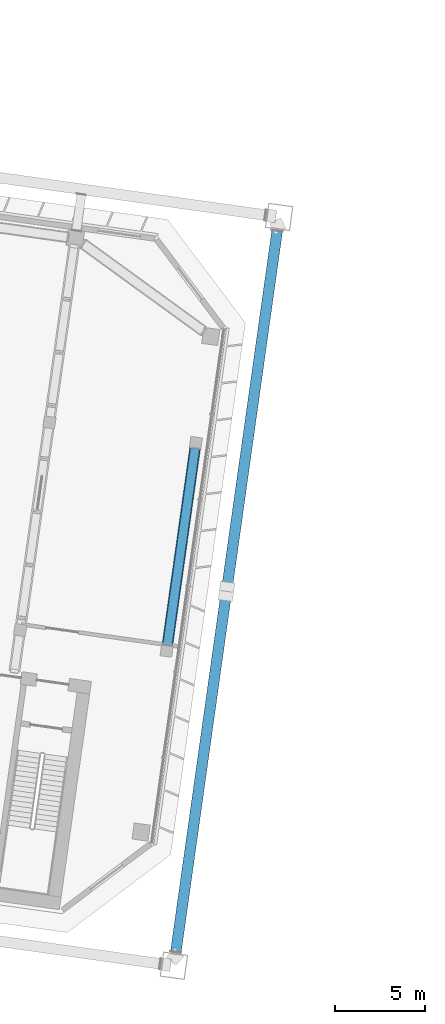
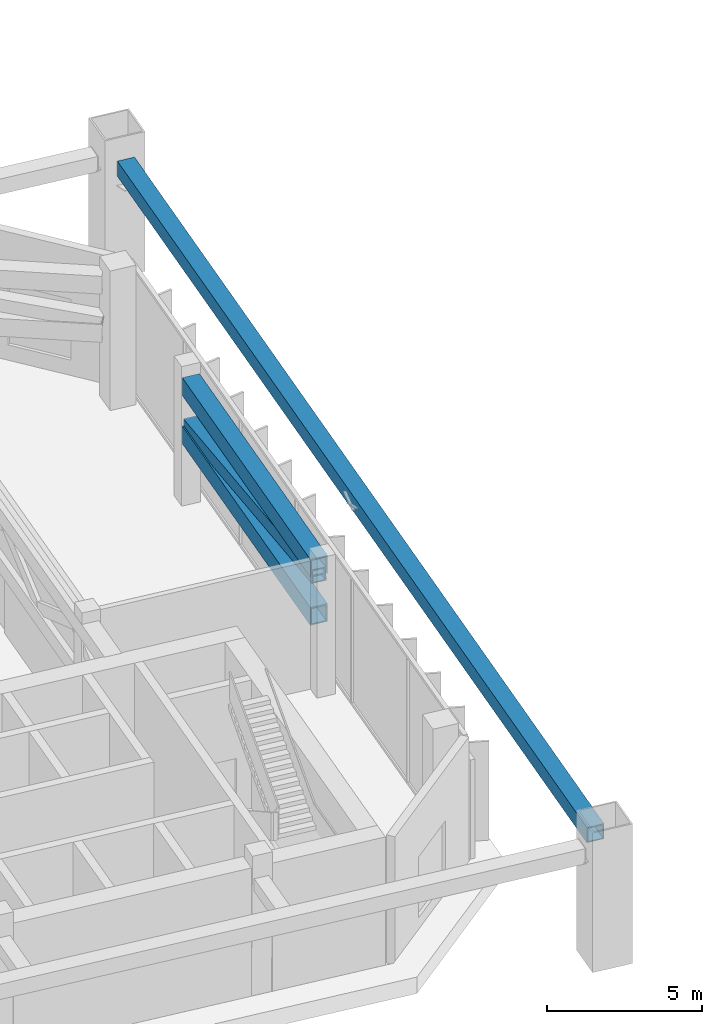
# One storey, part 8 of 41: 4 members.
"""IFC4 building model written with IfcOpenShell, lengths in metres."""

import ifcopenshell
import ifcopenshell.guid

model = None  # the IFC model being written
_history = None  # IfcOwnerHistory: only IFC2X3 demands one
_inside = {}  # id of a spatial element -> (the spatial element, [elements in it])
_under = {}  # id of a project, library or spatial element -> (it, [spatial elements below it])
_declared = {}  # id of a project -> (the project, [libraries it declares])
_typed = {}  # id of a type object -> (the type object, [elements of that type])
_made_of = {}  # id of a material, layer set ... -> (it, [elements and type objects made of it])


def new_model(schema):
    """Start an empty IFC model of exactly this schema.

    Asked for "IFC4X3", IfcOpenShell would pick the latest addendum, in which some entities
    have other attributes; the version numbers below select the first issue.
    IFC2X3 requires an IfcOwnerHistory on every rooted entity: one is made here for all.
    """
    global model, _history
    if schema == "IFC4X3":
        model = ifcopenshell.file(schema_version=(4, 3, 0, 0))
    else:
        model = ifcopenshell.file(schema=schema)
    _inside.clear()
    _under.clear()
    _declared.clear()
    _typed.clear()
    _made_of.clear()
    _history = None
    if model.schema == "IFC2X3":
        org = make("IfcOrganization", Name="unknown")
        user = make(
            "IfcPersonAndOrganization",
            ThePerson=make("IfcPerson", FamilyName="unknown"),
            TheOrganization=org,
        )
        app = make(
            "IfcApplication",
            ApplicationDeveloper=org,
            Version="unknown",
            ApplicationFullName="unknown",
            ApplicationIdentifier="unknown",
        )
        _history = make(
            "IfcOwnerHistory",
            OwningUser=user,
            OwningApplication=app,
            ChangeAction="ADDED",
            CreationDate=0,
        )
    return model


def make(cls, **values):
    """One entity of the class cls with the attributes given. An attribute that is None is left unset."""
    return model.create_entity(
        cls, **{name: value for name, value in values.items() if value is not None}
    )


def rooted(cls, **values):
    """An entity with a GlobalId (a new one), such as an element, a storey or a relation."""
    return make(cls, GlobalId=ifcopenshell.guid.new(), OwnerHistory=_history, **values)


def si_unit(unit_type, name, prefix=None):
    """IfcSIUnit, for example si_unit("LENGTHUNIT", "METRE", prefix="MILLI")."""
    return make("IfcSIUnit", UnitType=unit_type, Prefix=prefix, Name=name)


def assignment(units):
    """IfcUnitAssignment: the units of a project."""
    return None if units is None else make("IfcUnitAssignment", Units=units)


def point(xyz):
    """IfcCartesianPoint."""
    return None if xyz is None else make("IfcCartesianPoint", Coordinates=xyz)


def direction(xyz):
    """IfcDirection."""
    return None if xyz is None else make("IfcDirection", DirectionRatios=xyz)


def frame(location, z_axis=None, x_axis=None):
    """IfcAxis2Placement3D, a coordinate frame: its origin and axes. An axis left out is left unset."""
    return make(
        "IfcAxis2Placement3D",
        Location=point(location),
        Axis=direction(z_axis),
        RefDirection=direction(x_axis),
    )


def frame_2d(location, x_axis=None):
    """IfcAxis2Placement2D, a coordinate frame in the plane: its origin and x axis."""
    return make(
        "IfcAxis2Placement2D", Location=point(location), RefDirection=direction(x_axis)
    )


def origin():
    """The frame at (0, 0, 0) with its axes left unset."""
    return frame((0.0, 0.0, 0.0))


def origin_2d():
    """The frame at (0, 0) in the plane with its x axis left unset."""
    return frame_2d((0.0, 0.0))


def place(relative_to, where):
    """IfcLocalPlacement: puts the frame where relative to a parent placement (None: the world)."""
    return make(
        "IfcLocalPlacement", PlacementRelTo=relative_to, RelativePlacement=where
    )


def context(
    kind, dimensions, precision=None, world=None, true_north=None, identifier=None
):
    """IfcGeometricRepresentationContext, for example the 3D "Model" context."""
    return make(
        "IfcGeometricRepresentationContext",
        ContextIdentifier=identifier,
        ContextType=kind,
        CoordinateSpaceDimension=dimensions,
        Precision=precision,
        WorldCoordinateSystem=world,
        TrueNorth=true_north,
    )


def subcontext(parent, identifier, kind, view, scale=None):
    """IfcGeometricRepresentationSubContext, for example "Body" below "Model"."""
    return make(
        "IfcGeometricRepresentationSubContext",
        ContextIdentifier=identifier,
        ContextType=kind,
        ParentContext=parent,
        TargetScale=scale,
        TargetView=view,
    )


def project(units=None, contexts=None):
    """IfcProject with its units and contexts."""
    return rooted(
        "IfcProject",
        Name="project",
        RepresentationContexts=contexts,
        UnitsInContext=assignment(units),
    )


def spatial(cls, under=None, at=None, **own):
    """A site, building, storey or space (cls), placed at a placement, below another one or the project."""
    s = rooted(cls, ObjectPlacement=at, **own)
    if under is not None:
        _under.setdefault(under.id(), (under, []))[1].append(s)
    return s


def profile(cls, at=None, kind="AREA", **sizes):
    """A parametric profile (cls). Its sizes go by their IFC names, for example OverallWidth=200.0."""
    return make(cls, ProfileType=kind, Position=at, **sizes)


def hollow_rectangle(**sizes):
    """IfcRectangleHollowProfileDef."""
    return profile("IfcRectangleHollowProfileDef", **sizes)


def extrude(swept, where, along, depth):
    """IfcExtrudedAreaSolid: the profile swept, set in the frame where, extruded along a direction by depth."""
    return make(
        "IfcExtrudedAreaSolid",
        SweptArea=swept,
        Position=where,
        ExtrudedDirection=direction(along),
        Depth=depth,
    )


def shape(context_of_items, identifier, shape_type, items):
    """IfcShapeRepresentation: the items that make up one representation, for example the "Body"."""
    return make(
        "IfcShapeRepresentation",
        ContextOfItems=context_of_items,
        RepresentationIdentifier=identifier,
        RepresentationType=shape_type,
        Items=items,
    )


def material(Name=None, Category=None):
    """IfcMaterial."""
    return make("IfcMaterial", Name=Name, Category=Category)


def material_profile(
    of_material, cross_section, Name=None, Category=None, Priority=None
):
    """IfcMaterialProfile: a cross section and its material."""
    return make(
        "IfcMaterialProfile",
        Name=Name,
        Material=of_material,
        Profile=cross_section,
        Priority=Priority,
        Category=Category,
    )


def profile_set(profiles, Name=None, composite=None):
    """IfcMaterialProfileSet."""
    return make(
        "IfcMaterialProfileSet",
        Name=Name,
        MaterialProfiles=profiles,
        CompositeProfile=composite,
    )


def made_of(thing, what):
    """Note that an element or type object is made of a material, layer set ...; save() writes the relation."""
    if what is not None:
        _made_of.setdefault(what.id(), (what, []))[1].append(thing)
    return thing


def type_object(cls, material=None, **own):
    """A type object (cls), such as IfcWallType, which elements share."""
    return made_of(rooted(cls, **own), material)


def element(
    cls,
    number,
    at=None,
    inside=None,
    cuts=None,
    type_object=None,
    material=None,
    context=None,
    identifier="Body",
    shape_type=None,
    held_by="IfcProductDefinitionShape",
    body=None,
    shapes=None,
    **own,
):
    """One element of the class cls, such as IfcWall. Its Tag is "e" and its number.

    at: its placement. inside: the storey or other place that contains it. cuts: it is an
    opening in that element (IfcRelVoidsElement). A single representation is given by context,
    identifier, shape_type and body (its items); several are given by shapes. held_by: the class
    of the entity that holds the representations. save() writes the other relations.
    """
    e = rooted(cls, Tag="e%d" % number, ObjectPlacement=at, **own)
    if body is not None:
        shapes = [shape(context, identifier, shape_type, body)]
    if shapes is not None:
        e.Representation = make(held_by, Representations=shapes)
    if inside is not None:
        _inside.setdefault(inside.id(), (inside, []))[1].append(e)
    if cuts is not None:
        rooted(
            "IfcRelVoidsElement", RelatingBuildingElement=cuts, RelatedOpeningElement=e
        )
    if type_object is not None:
        _typed.setdefault(type_object.id(), (type_object, []))[1].append(e)
    return made_of(e, material)


def aggregate(whole, parts):
    """IfcRelAggregates: a whole, such as a stair, and the parts it consists of."""
    return rooted("IfcRelAggregates", RelatingObject=whole, RelatedObjects=parts)


def save(model, path):
    """Write the relations noted so far, then the file.

    IfcRelAggregates (storeys below a building ...), IfcRelContainedInSpatialStructure (elements
    in a storey), IfcRelDefinesByType, IfcRelAssociatesMaterial and IfcRelDeclares: one each for
    every whole, place, type object, material and project.
    """
    for whole, parts in _under.values():
        aggregate(whole, parts)
    for where, things in _inside.values():
        rooted(
            "IfcRelContainedInSpatialStructure",
            RelatedElements=things,
            RelatingStructure=where,
        )
    for kind, things in _typed.values():
        rooted("IfcRelDefinesByType", RelatedObjects=things, RelatingType=kind)
    for what, things in _made_of.values():
        rooted("IfcRelAssociatesMaterial", RelatedObjects=things, RelatingMaterial=what)
    for by, libraries in _declared.values():
        rooted("IfcRelDeclares", RelatingContext=by, RelatedDefinitions=libraries)
    model.write(path)


model = new_model("IFC4")

# Units and contexts
model_context = context("Model", 3, precision=1e-05, world=origin(), true_north=direction((0.0, 1.0)))
body_context = subcontext(model_context, "Body", "Model", "MODEL_VIEW")
ifc_project = project(units=[si_unit("LENGTHUNIT", "METRE"), si_unit("AREAUNIT", "SQUARE_METRE"), si_unit("VOLUMEUNIT", "CUBIC_METRE"), si_unit("PLANEANGLEUNIT", "RADIAN"), si_unit("MASSUNIT", "GRAM", prefix="KILO")], contexts=[model_context])

# Site, building, storey
site_placement = place(None, origin())
site = spatial("IfcSite", under=ifc_project, at=site_placement, CompositionType="ELEMENT")
building_placement = place(site_placement, origin())
building = spatial("IfcBuilding", under=site, at=building_placement, Name="Mirante Cascada Hotel Towers", CompositionType="ELEMENT")
storey_placement = place(building_placement, frame((0.0, 0.0, 151.9)))
storey = spatial("IfcBuildingStorey", under=building, at=storey_placement, Name="L35", CompositionType="ELEMENT", Elevation=151.9)

# Members
ifc_material_1 = material(Name="Steel ASTM A572 Gr 50", Category="steel")
ifc_material_profile_1 = material_profile(ifc_material_1, hollow_rectangle(XDim=0.6, YDim=0.6, WallThickness=0.04, at=origin_2d()), Name="Box chord 600x600x40 ASTM A572 Gr 50")
ifc_profile_set_1 = profile_set([ifc_material_profile_1], Name="Steel ASTM A572 Gr 50")
member_type_1 = type_object("IfcMemberType", Name="Box chord 600x600x40 ASTM A572 Gr 50", PredefinedType="CHORD", material=ifc_profile_set_1)
member_1_placement = place(storey_placement, frame((-30.7982, -22.3065, 4.35), z_axis=(0.1391742, 0.9902679, 0.0), x_axis=(-0.9902679, 0.1391742, 0.0)))
element("IfcMember", 1, at=member_1_placement, inside=storey, type_object=member_type_1, Name="exochord T1 L35 3", PredefinedType="CHORD", context=body_context, shape_type="SweptSolid", body=[
    extrude(hollow_rectangle(XDim=0.6, YDim=0.6, WallThickness=0.04, at=origin_2d()), origin(), (0.0, 0.0, 1.0), 40.44),
])
ifc_material_2 = material(Name="Steel ASTM A572 Gr 50", Category="steel")
ifc_material_profile_2 = material_profile(ifc_material_2, hollow_rectangle(XDim=0.6, YDim=0.7, WallThickness=0.05, at=origin_2d()), Name="Box chord 700x600x50 ASTM A572 Gr 50")
ifc_profile_set_2 = profile_set([ifc_material_profile_2], Name="Steel ASTM A572 Gr 50")
member_type_2 = type_object("IfcMemberType", Name="Box chord 700x600x50 ASTM A572 Gr 50", PredefinedType="CHORD", material=ifc_profile_set_2)
for number, where, z_axis, x_axis, name in (
    (2, (-31.2682, -5.2754, 4.7), (0.1391752, 0.9902678, 0.0), (-0.9902678, 0.1391752, 0.0), "belt T1 L35 28"),
    (3, (-31.2682, -5.2754, 2.8), (0.1391752, 0.9902678, 0.0), (-0.9902678, 0.1391752, 0.0), "belt T1 L35 29"),
):
    element("IfcMember", number, at=place(storey_placement, frame(where, z_axis=z_axis, x_axis=x_axis)), inside=storey, type_object=member_type_2, Name=name, PredefinedType="CHORD", context=body_context, shape_type="SweptSolid", body=[
        extrude(hollow_rectangle(XDim=0.6, YDim=0.7, WallThickness=0.05, at=origin_2d()), origin(), (0.0, 0.0, 1.0), 11.04),
    ])
ifc_material_3 = material(Name="Steel ASTM A572 Gr 50", Category="steel")
ifc_material_profile_3 = material_profile(ifc_material_3, hollow_rectangle(XDim=0.5, YDim=0.5, WallThickness=0.035, at=origin_2d()), Name="Box diagonal 500x500x35 ASTM A572 Gr 50")
ifc_profile_set_3 = profile_set([ifc_material_profile_3], Name="Steel ASTM A572 Gr 50")
member_type_3 = type_object("IfcMemberType", Name="Box diagonal 500x500x35 ASTM A572 Gr 50", PredefinedType="BRACE", material=ifc_profile_set_3)
member_2_placement = place(storey_placement, frame((-31.2682, -5.2754, 4.35), z_axis=(0.1383602, 0.9844693, -0.1080588), x_axis=(-0.9902678, 0.1391752, 0.0)))
element("IfcMember", 4, at=member_2_placement, inside=storey, type_object=member_type_3, Name="belt T1 L35 30", PredefinedType="BRACE", context=body_context, shape_type="SweptSolid", body=[
    extrude(hollow_rectangle(XDim=0.5, YDim=0.5, WallThickness=0.035, at=origin_2d()), origin(), (0.0, 0.0, 1.0), 11.1051),
])

save(model, "model.ifc")
